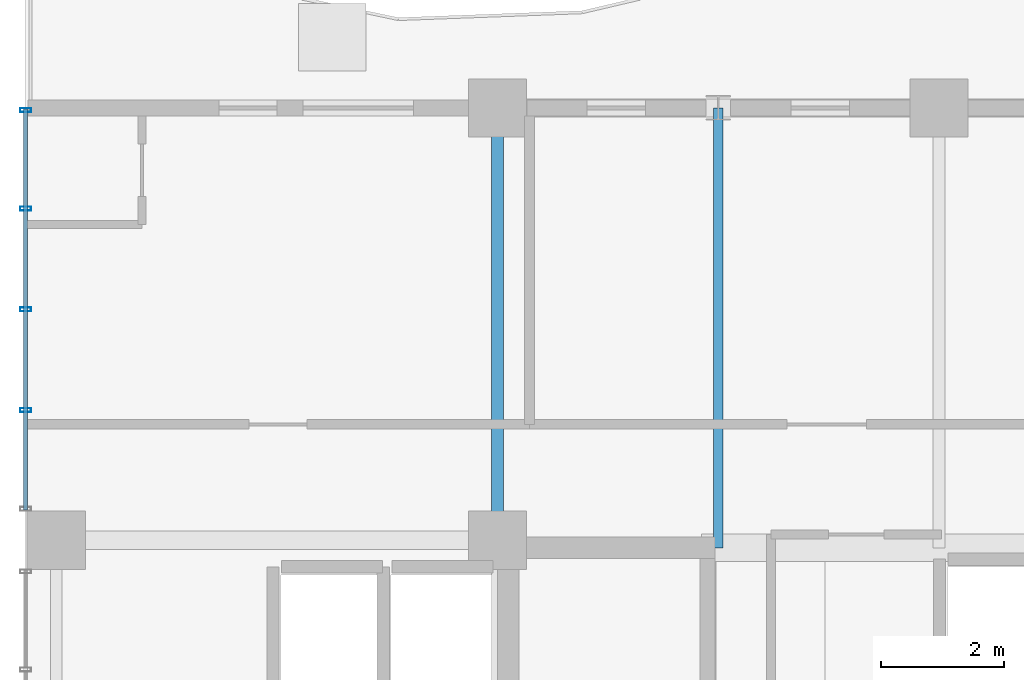
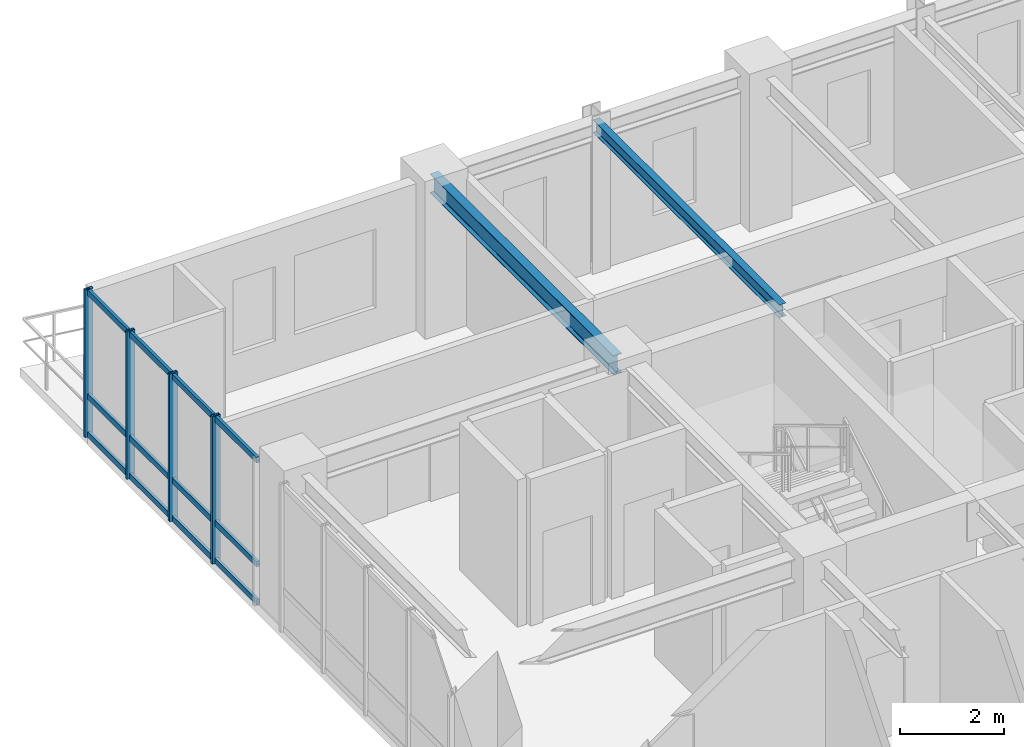
# One storey, part 10 of 20: 7 members, 2 beams, 1 element without a shape of its own.
"""IFC4 building model written with IfcOpenShell, lengths in metres."""

from ifc_helpers import new_model, si_unit, direction, frame, origin, origin_2d, place, context, subcontext, project, spatial, hollow_rectangle, i_section, extrude, source, transform, mapped, material, layer, layer_set, material_profile, profile_set, type_object, element, aggregate, save


model = new_model("IFC4")

# Units and contexts
model_context = context("Model", 3, precision=1e-05, world=origin(), true_north=direction((0.0, 1.0)))
body_context = subcontext(model_context, "Body", "Model", "MODEL_VIEW")
ifc_project = project(units=[si_unit("LENGTHUNIT", "METRE"), si_unit("AREAUNIT", "SQUARE_METRE"), si_unit("VOLUMEUNIT", "CUBIC_METRE"), si_unit("PLANEANGLEUNIT", "RADIAN"), si_unit("MASSUNIT", "GRAM", prefix="KILO")], contexts=[model_context])

# Site, building, storey
site_placement = place(None, origin())
site = spatial("IfcSite", under=ifc_project, at=site_placement, CompositionType="ELEMENT")
building_placement = place(site_placement, origin())
building = spatial("IfcBuilding", under=site, at=building_placement, Name="Kaliganga Portal Commons", CompositionType="ELEMENT")
storey_placement = place(building_placement, frame((0.0, 0.0, 216.60009765625)))
storey = spatial("IfcBuildingStorey", under=building, at=storey_placement, Name="L55", CompositionType="ELEMENT", Elevation=216.60009765625)

# Beams
ifc_material_1 = material(Name="Structural steel S355J2", Category="steel")
ifc_material_profile_1 = material_profile(ifc_material_1, i_section(OverallWidth=0.18994140625, OverallDepth=0.449951171875, WebThickness=0.009521484375, FlangeThickness=0.0146484375, FilletRadius=0.02099609375, at=origin_2d()), Name="IPE 450")
ifc_profile_set_1 = profile_set([ifc_material_profile_1], Name="Structural steel S355J2 wide-flange")
beam_type_1 = type_object("IfcBeamType", Name="BM-FLR-450", PredefinedType="BEAM", material=ifc_profile_set_1)
shared_shape_1 = source(origin(), body_context, "Body", "SweptSolid", [
    extrude(i_section(OverallWidth=0.18994140625, OverallDepth=0.449951171875, WebThickness=0.009521484375, FlangeThickness=0.0146484375, FilletRadius=0.02099609375, at=origin_2d()), origin(), (0.0, 0.0, 1.0), 7.050048828125),
])
beam_1_placement = place(storey_placement, frame((14.39990234375, 36.14990234375, 3.244873046875), z_axis=(0.0, 1.0, 0.0), x_axis=(-1.0, 0.0, 0.0)))
element("IfcBeam", 1, at=beam_1_placement, inside=storey, type_object=beam_type_1, Name="BM G L55 AN144", PredefinedType="BEAM", context=body_context, shape_type="MappedRepresentation", body=[
    mapped(shared_shape_1, transform((0.0, 0.0, 0.0), x_axis=(1.0, 0.0, 0.0), y_axis=(0.0, 1.0, 0.0), z_axis=(0.0, 0.0, 1.0), scale=1.0)),
])
ifc_material_profile_2 = material_profile(ifc_material_1, i_section(OverallWidth=0.14990234375, OverallDepth=0.300048828125, WebThickness=0.007080078125, FlangeThickness=0.0107421875, FilletRadius=0.014892578125, at=origin_2d()), Name="IPE 300")
ifc_profile_set_2 = profile_set([ifc_material_profile_2], Name="Structural steel S355J2 wide-flange")
beam_type_2 = type_object("IfcBeamType", Name="BM-JST-300", PredefinedType="JOIST", material=ifc_profile_set_2)
shared_shape_2 = source(origin(), body_context, "Body", "SweptSolid", [
    extrude(i_section(OverallWidth=0.14990234375, OverallDepth=0.300048828125, WebThickness=0.007080078125, FlangeThickness=0.0107421875, FilletRadius=0.014892578125, at=origin_2d()), origin(), (0.0, 0.0, 1.0), 7.175048828125),
])
beam_2_placement = place(storey_placement, frame((18.0, 36.02490234375, 3.31982421875), z_axis=(0.0, 1.0, 0.0), x_axis=(-1.0, 0.0, 0.0)))
element("IfcBeam", 2, at=beam_2_placement, inside=storey, type_object=beam_type_2, Name="BM G L55 AN180", PredefinedType="JOIST", context=body_context, shape_type="MappedRepresentation", body=[
    mapped(shared_shape_2, transform((0.0, 0.0, 0.0), x_axis=(1.0, 0.0, 0.0), y_axis=(0.0, 1.0, 0.0), z_axis=(0.0, 0.0, 1.0), scale=1.0)),
])

# Curtain wall, members
ifc_material_2 = material(Name="Anodized Aluminium and Laminated Low-E Glass", Category="aluminium")
ifc_layer = layer(ifc_material_2, 0.199951171875)
ifc_layer_set = layer_set([ifc_layer], Name="Anodized Aluminium and Laminated Low-E Glass")
curtain_wall_type = type_object("IfcCurtainWallType", Name="CW-SYS-02", PredefinedType="NOTDEFINED", material=ifc_layer_set)
curtain_wall_placement = place(storey_placement, origin())
curtain_wall = element("IfcCurtainWall", 3, at=curtain_wall_placement, inside=storey, type_object=curtain_wall_type, Name="CW 02 L55 P1E03S1", PredefinedType="NOTDEFINED")
ifc_material_3 = material(Name="Dark Bronze Anodized Aluminium", Category="aluminium")
ifc_material_profile_3 = material_profile(ifc_material_3, hollow_rectangle(XDim=0.06494140625, YDim=0.179931640625, WallThickness=0.00390625, at=origin_2d()), Name="ALU MULL 65x180x4")
ifc_profile_set_3 = profile_set([ifc_material_profile_3], Name="Dark Bronze Anodized Aluminium")
member_type_1 = type_object("IfcMemberType", Name="CW-MUL-180", PredefinedType="MULLION", material=ifc_profile_set_3)
shared_shape_3 = source(origin(), body_context, "Body", "SweptSolid", [
    extrude(hollow_rectangle(XDim=0.06494140625, YDim=0.179931640625, WallThickness=0.00390625, at=origin_2d()), origin(), (0.0, 0.0, 1.0), 3.469970703125),
])
member_1_placement = place(storey_placement, frame((6.699951171875, 43.1650390625, 0.0), z_axis=(0.0, 0.0, 1.0), x_axis=(0.0, -1.0, 0.0)))
member_1 = element("IfcMember", 4, at=member_1_placement, type_object=member_type_1, Name="CW:02:L55:P1E03S1 Mullion 00", PredefinedType="MULLION", context=body_context, shape_type="MappedRepresentation", body=[
    mapped(shared_shape_3, transform((0.0, 0.0, 0.0), x_axis=(1.0, 0.0, 0.0), y_axis=(0.0, 1.0, 0.0), z_axis=(0.0, 0.0, 1.0), scale=1.0)),
])
member_2_placement = place(storey_placement, frame((6.699951171875, 41.556396484375, 0.0), z_axis=(0.0, 0.0, 1.0), x_axis=(0.0, -1.0, 0.0)))
member_2 = element("IfcMember", 5, at=member_2_placement, type_object=member_type_1, Name="CW:02:L55:P1E03S1 Mullion 01", PredefinedType="MULLION", context=body_context, shape_type="MappedRepresentation", body=[
    mapped(shared_shape_3, transform((0.0, 0.0, 0.0), x_axis=(1.0, 0.0, 0.0), y_axis=(0.0, 1.0, 0.0), z_axis=(0.0, 0.0, 1.0), scale=1.0)),
])
member_3_placement = place(storey_placement, frame((6.699951171875, 39.9130859375, 0.0), z_axis=(0.0, 0.0, 1.0), x_axis=(0.0, -1.0, 0.0)))
member_3 = element("IfcMember", 6, at=member_3_placement, type_object=member_type_1, Name="CW:02:L55:P1E03S1 Mullion 02", PredefinedType="MULLION", context=body_context, shape_type="MappedRepresentation", body=[
    mapped(shared_shape_3, transform((0.0, 0.0, 0.0), x_axis=(1.0, 0.0, 0.0), y_axis=(0.0, 1.0, 0.0), z_axis=(0.0, 0.0, 1.0), scale=1.0)),
])
member_4_placement = place(storey_placement, frame((6.699951171875, 38.26953125, 0.0), z_axis=(0.0, 0.0, 1.0), x_axis=(0.0, -1.0, 0.0)))
member_4 = element("IfcMember", 7, at=member_4_placement, type_object=member_type_1, Name="CW:02:L55:P1E03S1 Mullion 03", PredefinedType="MULLION", context=body_context, shape_type="MappedRepresentation", body=[
    mapped(shared_shape_3, transform((0.0, 0.0, 0.0), x_axis=(1.0, 0.0, 0.0), y_axis=(0.0, 1.0, 0.0), z_axis=(0.0, 0.0, 1.0), scale=1.0)),
])
ifc_material_profile_4 = material_profile(ifc_material_3, hollow_rectangle(XDim=0.06494140625, YDim=0.135009765625, WallThickness=0.00341796875, at=origin_2d()), Name="ALU TRAN 65x135x3.5")
ifc_profile_set_4 = profile_set([ifc_material_profile_4], Name="Dark Bronze Anodized Aluminium")
member_type_2 = type_object("IfcMemberType", Name="CW-TRN-135", PredefinedType="USERDEFINED", material=ifc_profile_set_4)
shared_shape_4 = source(origin(), body_context, "Body", "SweptSolid", [
    extrude(hollow_rectangle(XDim=0.06494140625, YDim=0.135009765625, WallThickness=0.00341796875, at=origin_2d()), origin(), (0.0, 0.0, 1.0), 6.533935546875),
])
member_5_placement = place(storey_placement, frame((6.699951171875, 43.179931640625, 0.059814453125), z_axis=(0.0, -1.0, 0.0), x_axis=(1.0, 0.0, 0.0)))
member_5 = element("IfcMember", 8, at=member_5_placement, type_object=member_type_2, Name="CW:02:L55:P1E03S1 Transom 1", ObjectType="TRANSOM", PredefinedType="USERDEFINED", context=body_context, shape_type="MappedRepresentation", body=[
    mapped(shared_shape_4, transform((0.0, 0.0, 0.0), x_axis=(1.0, 0.0, 0.0), y_axis=(0.0, 1.0, 0.0), z_axis=(0.0, 0.0, 1.0), scale=1.0)),
])
member_6_placement = place(storey_placement, frame((6.699951171875, 43.179931640625, 0.949951171875), z_axis=(0.0, -1.0, 0.0), x_axis=(1.0, 0.0, 0.0)))
member_6 = element("IfcMember", 9, at=member_6_placement, type_object=member_type_2, Name="CW:02:L55:P1E03S1 Transom 2", ObjectType="TRANSOM", PredefinedType="USERDEFINED", context=body_context, shape_type="MappedRepresentation", body=[
    mapped(shared_shape_4, transform((0.0, 0.0, 0.0), x_axis=(1.0, 0.0, 0.0), y_axis=(0.0, 1.0, 0.0), z_axis=(0.0, 0.0, 1.0), scale=1.0)),
])
member_7_placement = place(storey_placement, frame((6.699951171875, 43.179931640625, 3.389892578125), z_axis=(0.0, -1.0, 0.0), x_axis=(1.0, 0.0, 0.0)))
member_7 = element("IfcMember", 10, at=member_7_placement, type_object=member_type_2, Name="CW:02:L55:P1E03S1 Transom 3", ObjectType="TRANSOM", PredefinedType="USERDEFINED", context=body_context, shape_type="MappedRepresentation", body=[
    mapped(shared_shape_4, transform((0.0, 0.0, 0.0), x_axis=(1.0, 0.0, 0.0), y_axis=(0.0, 1.0, 0.0), z_axis=(0.0, 0.0, 1.0), scale=1.0)),
])
aggregate(curtain_wall, [member_1, member_2, member_3, member_4, member_5, member_6, member_7])

save(model, "model.ifc")
